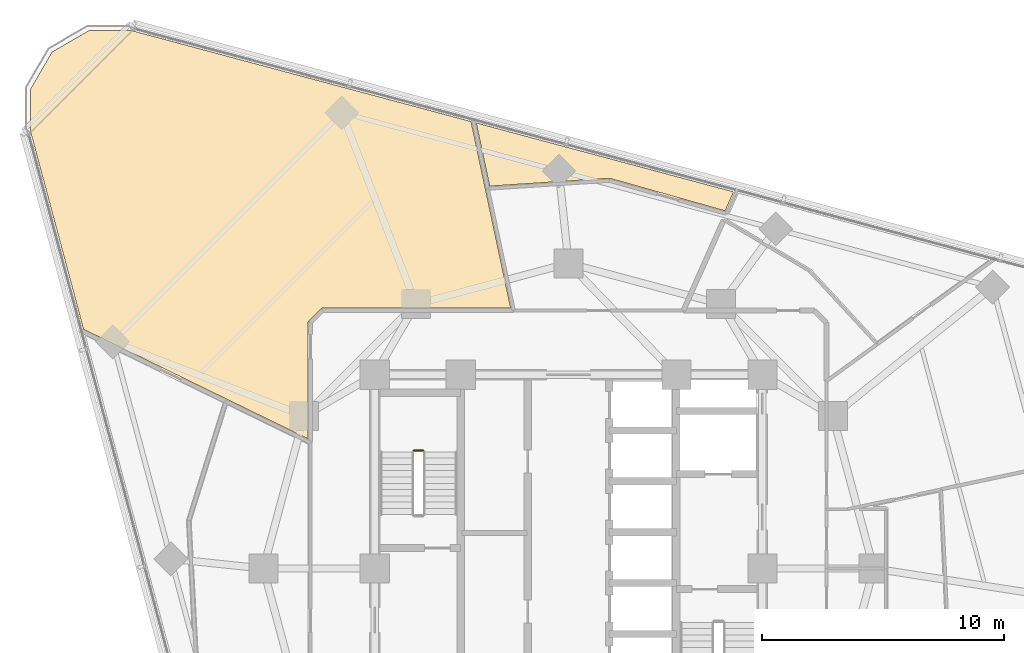
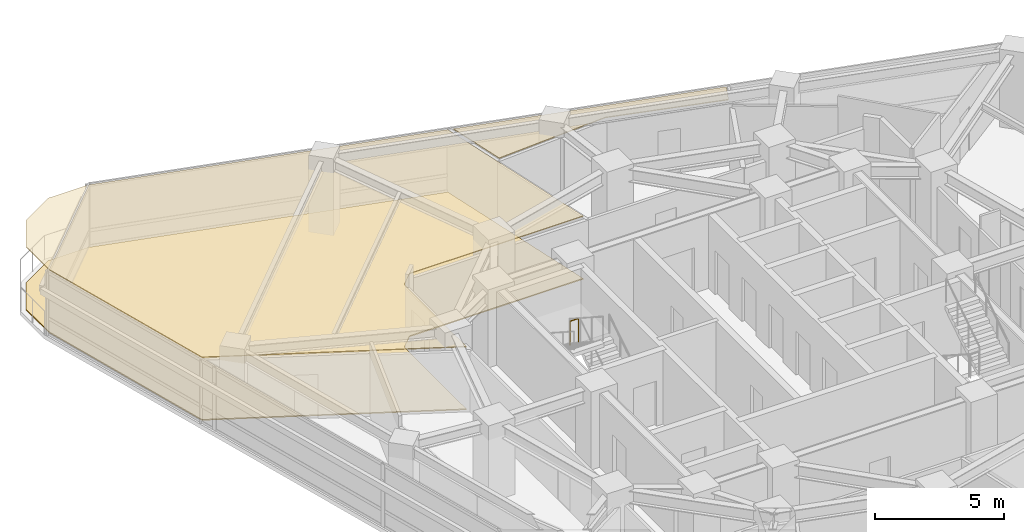
# One storey, part 13 of 14: 3 coverings, 1 railing.
"""IFC4 building model written with IfcOpenShell, lengths in metres."""

import ifcopenshell
import ifcopenshell.guid

model = None  # the IFC model being written
_history = None  # IfcOwnerHistory: only IFC2X3 demands one
_inside = {}  # id of a spatial element -> (the spatial element, [elements in it])
_under = {}  # id of a project, library or spatial element -> (it, [spatial elements below it])
_declared = {}  # id of a project -> (the project, [libraries it declares])
_typed = {}  # id of a type object -> (the type object, [elements of that type])
_made_of = {}  # id of a material, layer set ... -> (it, [elements and type objects made of it])


def new_model(schema):
    """Start an empty IFC model of exactly this schema.

    Asked for "IFC4X3", IfcOpenShell would pick the latest addendum, in which some entities
    have other attributes; the version numbers below select the first issue.
    IFC2X3 requires an IfcOwnerHistory on every rooted entity: one is made here for all.
    """
    global model, _history
    if schema == "IFC4X3":
        model = ifcopenshell.file(schema_version=(4, 3, 0, 0))
    else:
        model = ifcopenshell.file(schema=schema)
    _inside.clear()
    _under.clear()
    _declared.clear()
    _typed.clear()
    _made_of.clear()
    _history = None
    if model.schema == "IFC2X3":
        org = make("IfcOrganization", Name="unknown")
        user = make(
            "IfcPersonAndOrganization",
            ThePerson=make("IfcPerson", FamilyName="unknown"),
            TheOrganization=org,
        )
        app = make(
            "IfcApplication",
            ApplicationDeveloper=org,
            Version="unknown",
            ApplicationFullName="unknown",
            ApplicationIdentifier="unknown",
        )
        _history = make(
            "IfcOwnerHistory",
            OwningUser=user,
            OwningApplication=app,
            ChangeAction="ADDED",
            CreationDate=0,
        )
    return model


def make(cls, **values):
    """One entity of the class cls with the attributes given. An attribute that is None is left unset."""
    return model.create_entity(
        cls, **{name: value for name, value in values.items() if value is not None}
    )


def rooted(cls, **values):
    """An entity with a GlobalId (a new one), such as an element, a storey or a relation."""
    return make(cls, GlobalId=ifcopenshell.guid.new(), OwnerHistory=_history, **values)


def si_unit(unit_type, name, prefix=None):
    """IfcSIUnit, for example si_unit("LENGTHUNIT", "METRE", prefix="MILLI")."""
    return make("IfcSIUnit", UnitType=unit_type, Prefix=prefix, Name=name)


def assignment(units):
    """IfcUnitAssignment: the units of a project."""
    return None if units is None else make("IfcUnitAssignment", Units=units)


def point(xyz):
    """IfcCartesianPoint."""
    return None if xyz is None else make("IfcCartesianPoint", Coordinates=xyz)


def direction(xyz):
    """IfcDirection."""
    return None if xyz is None else make("IfcDirection", DirectionRatios=xyz)


def frame(location, z_axis=None, x_axis=None):
    """IfcAxis2Placement3D, a coordinate frame: its origin and axes. An axis left out is left unset."""
    return make(
        "IfcAxis2Placement3D",
        Location=point(location),
        Axis=direction(z_axis),
        RefDirection=direction(x_axis),
    )


def frame_2d(location, x_axis=None):
    """IfcAxis2Placement2D, a coordinate frame in the plane: its origin and x axis."""
    return make(
        "IfcAxis2Placement2D", Location=point(location), RefDirection=direction(x_axis)
    )


def origin():
    """The frame at (0, 0, 0) with its axes left unset."""
    return frame((0.0, 0.0, 0.0))


def origin_2d():
    """The frame at (0, 0) in the plane with its x axis left unset."""
    return frame_2d((0.0, 0.0))


def place(relative_to, where):
    """IfcLocalPlacement: puts the frame where relative to a parent placement (None: the world)."""
    return make(
        "IfcLocalPlacement", PlacementRelTo=relative_to, RelativePlacement=where
    )


def context(
    kind, dimensions, precision=None, world=None, true_north=None, identifier=None
):
    """IfcGeometricRepresentationContext, for example the 3D "Model" context."""
    return make(
        "IfcGeometricRepresentationContext",
        ContextIdentifier=identifier,
        ContextType=kind,
        CoordinateSpaceDimension=dimensions,
        Precision=precision,
        WorldCoordinateSystem=world,
        TrueNorth=true_north,
    )


def subcontext(parent, identifier, kind, view, scale=None):
    """IfcGeometricRepresentationSubContext, for example "Body" below "Model"."""
    return make(
        "IfcGeometricRepresentationSubContext",
        ContextIdentifier=identifier,
        ContextType=kind,
        ParentContext=parent,
        TargetScale=scale,
        TargetView=view,
    )


def project(units=None, contexts=None):
    """IfcProject with its units and contexts."""
    return rooted(
        "IfcProject",
        Name="project",
        RepresentationContexts=contexts,
        UnitsInContext=assignment(units),
    )


def spatial(cls, under=None, at=None, **own):
    """A site, building, storey or space (cls), placed at a placement, below another one or the project."""
    s = rooted(cls, ObjectPlacement=at, **own)
    if under is not None:
        _under.setdefault(under.id(), (under, []))[1].append(s)
    return s


def polyline(points):
    """IfcPolyline through the points."""
    return make("IfcPolyline", Points=[point(p) for p in points])


def profile(cls, at=None, kind="AREA", **sizes):
    """A parametric profile (cls). Its sizes go by their IFC names, for example OverallWidth=200.0."""
    return make(cls, ProfileType=kind, Position=at, **sizes)


def circle(**sizes):
    """IfcCircleProfileDef."""
    return profile("IfcCircleProfileDef", **sizes)


def outline(outer, holes=None, kind="AREA"):
    """IfcArbitraryClosedProfileDef: a profile drawn as a closed curve; with holes, ...WithVoids."""
    if holes is None:
        return make("IfcArbitraryClosedProfileDef", ProfileType=kind, OuterCurve=outer)
    return make(
        "IfcArbitraryProfileDefWithVoids",
        ProfileType=kind,
        OuterCurve=outer,
        InnerCurves=holes,
    )


def extrude(swept, where, along, depth):
    """IfcExtrudedAreaSolid: the profile swept, set in the frame where, extruded along a direction by depth."""
    return make(
        "IfcExtrudedAreaSolid",
        SweptArea=swept,
        Position=where,
        ExtrudedDirection=direction(along),
        Depth=depth,
    )


def shape(context_of_items, identifier, shape_type, items):
    """IfcShapeRepresentation: the items that make up one representation, for example the "Body"."""
    return make(
        "IfcShapeRepresentation",
        ContextOfItems=context_of_items,
        RepresentationIdentifier=identifier,
        RepresentationType=shape_type,
        Items=items,
    )


def material(Name=None, Category=None):
    """IfcMaterial."""
    return make("IfcMaterial", Name=Name, Category=Category)


def layer(
    of_material, thickness, ventilated=None, Name=None, Category=None, Priority=None
):
    """IfcMaterialLayer: one layer of a wall or slab, of a material (None: an air gap)."""
    return make(
        "IfcMaterialLayer",
        Material=of_material,
        LayerThickness=thickness,
        IsVentilated=ventilated,
        Name=Name,
        Category=Category,
        Priority=Priority,
    )


def layer_set(layers, Name=None):
    """IfcMaterialLayerSet."""
    return make("IfcMaterialLayerSet", MaterialLayers=layers, LayerSetName=Name)


def made_of(thing, what):
    """Note that an element or type object is made of a material, layer set ...; save() writes the relation."""
    if what is not None:
        _made_of.setdefault(what.id(), (what, []))[1].append(thing)
    return thing


def type_object(cls, material=None, **own):
    """A type object (cls), such as IfcWallType, which elements share."""
    return made_of(rooted(cls, **own), material)


def element(
    cls,
    number,
    at=None,
    inside=None,
    cuts=None,
    type_object=None,
    material=None,
    context=None,
    identifier="Body",
    shape_type=None,
    held_by="IfcProductDefinitionShape",
    body=None,
    shapes=None,
    **own,
):
    """One element of the class cls, such as IfcWall. Its Tag is "e" and its number.

    at: its placement. inside: the storey or other place that contains it. cuts: it is an
    opening in that element (IfcRelVoidsElement). A single representation is given by context,
    identifier, shape_type and body (its items); several are given by shapes. held_by: the class
    of the entity that holds the representations. save() writes the other relations.
    """
    e = rooted(cls, Tag="e%d" % number, ObjectPlacement=at, **own)
    if body is not None:
        shapes = [shape(context, identifier, shape_type, body)]
    if shapes is not None:
        e.Representation = make(held_by, Representations=shapes)
    if inside is not None:
        _inside.setdefault(inside.id(), (inside, []))[1].append(e)
    if cuts is not None:
        rooted(
            "IfcRelVoidsElement", RelatingBuildingElement=cuts, RelatedOpeningElement=e
        )
    if type_object is not None:
        _typed.setdefault(type_object.id(), (type_object, []))[1].append(e)
    return made_of(e, material)


def aggregate(whole, parts):
    """IfcRelAggregates: a whole, such as a stair, and the parts it consists of."""
    return rooted("IfcRelAggregates", RelatingObject=whole, RelatedObjects=parts)


def save(model, path):
    """Write the relations noted so far, then the file.

    IfcRelAggregates (storeys below a building ...), IfcRelContainedInSpatialStructure (elements
    in a storey), IfcRelDefinesByType, IfcRelAssociatesMaterial and IfcRelDeclares: one each for
    every whole, place, type object, material and project.
    """
    for whole, parts in _under.values():
        aggregate(whole, parts)
    for where, things in _inside.values():
        rooted(
            "IfcRelContainedInSpatialStructure",
            RelatedElements=things,
            RelatingStructure=where,
        )
    for kind, things in _typed.values():
        rooted("IfcRelDefinesByType", RelatedObjects=things, RelatingType=kind)
    for what, things in _made_of.values():
        rooted("IfcRelAssociatesMaterial", RelatedObjects=things, RelatingMaterial=what)
    for by, libraries in _declared.values():
        rooted("IfcRelDeclares", RelatingContext=by, RelatedDefinitions=libraries)
    model.write(path)


model = new_model("IFC4")

# Units and contexts
model_context = context("Model", 3, precision=1e-05, world=origin(), true_north=direction((0.0, 1.0)))
body_context = subcontext(model_context, "Body", "Model", "MODEL_VIEW")
ifc_project = project(units=[si_unit("LENGTHUNIT", "METRE"), si_unit("AREAUNIT", "SQUARE_METRE"), si_unit("VOLUMEUNIT", "CUBIC_METRE"), si_unit("PLANEANGLEUNIT", "RADIAN"), si_unit("MASSUNIT", "GRAM", prefix="KILO")], contexts=[model_context])

# Site, building, storey
site_placement = place(None, origin())
site = spatial("IfcSite", under=ifc_project, at=site_placement, CompositionType="ELEMENT")
building_placement = place(site_placement, origin())
building = spatial("IfcBuilding", under=site, at=building_placement, Name="Terralouvre Media Tower", CompositionType="ELEMENT")
storey_placement = place(building_placement, frame((0.0, 0.0, 184.199951171875)))
storey = spatial("IfcBuildingStorey", under=building, at=storey_placement, Name="L47", CompositionType="ELEMENT", Elevation=184.199951171875)

# Coverings
ifc_material_1 = material(Name="Resilient elastomer acoustic broadcast studio flooring")
ifc_layer_1 = layer(ifc_material_1, 0.050048828125, Name="Broadcast Studio Acoustic Floating Floor FL-AC1")
ifc_layer_set_1 = layer_set([ifc_layer_1], Name="Resilient elastomer acoustic broadcast studio flooring")
covering_type_1 = type_object("IfcCoveringType", Name="Broadcast Studio Acoustic Floating Floor FL-AC1", PredefinedType="FLOORING", material=ifc_layer_set_1)
covering_1_placement = place(storey_placement, frame((0.0, 0.0, 0.0), z_axis=(0.0, 0.0, 1.0), x_axis=(0.707106781187, 0.707106781187, 0.0)))
element("IfcCovering", 1, at=covering_1_placement, inside=storey, type_object=covering_type_1, Name="L47 Audio Mastering Control Room 13 Acoustic Floating Floor", PredefinedType="FLOORING", context=body_context, shape_type="SweptSolid", body=[
    extrude(outline(polyline([(-5.027099609375, 14.906494140625), (-3.8154296875, 11.38720703125), (-0.42431640625, 14.778564453125), (-0.4169921875, 14.78515625), (-0.4091796875, 14.791015625), (-0.400634765625, 14.7958984375), (-0.391845703125, 14.80029296875), (-0.382568359375, 14.803466796875), (-0.373046875, 14.805908203125), (-0.36328125, 14.807373046875), (-0.353515625, 14.807861328125), (0.353515625, 14.807861328125), (0.36328125, 14.807373046875), (0.373046875, 14.805908203125), (0.382568359375, 14.803466796875), (0.391845703125, 14.80029296875), (0.400634765625, 14.7958984375), (0.4091796875, 14.791015625), (0.4169921875, 14.78515625), (0.42431640625, 14.778564453125), (5.9130859375, 9.28955078125), (8.648193359375, 13.50146484375), (10.202392578125, 15.89453125), (2.958984375, 28.440673828125), (1.6962890625, 29.70361328125), (0.0, 30.15771484375), (-1.6962890625, 29.70361328125), (-2.958984375, 28.440673828125), (-7.173828125, 21.140380859375), (-5.027099609375, 14.906494140625)])), origin(), (0.0, 0.0, 1.0), 0.050048828125),
])
ifc_material_2 = material(Name="Perforated aluminium acoustic ceiling baffle", Category="aluminium")
ifc_layer_2 = layer(ifc_material_2, 0.0400390625, Name="Perforated Acoustic Metal Tile Ceiling CL-AC1")
ifc_layer_set_2 = layer_set([ifc_layer_2], Name="Perforated aluminium acoustic ceiling baffle")
covering_type_2 = type_object("IfcCoveringType", Name="Perforated Acoustic Metal Tile Ceiling CL-AC1", PredefinedType="CEILING", material=ifc_layer_set_2)
covering_2_placement = place(storey_placement, frame((0.0, 0.0, 2.97998046875), z_axis=(0.0, 0.0, 1.0), x_axis=(0.707106781187, 0.707106781187, 0.0)))
element("IfcCovering", 2, at=covering_2_placement, inside=storey, type_object=covering_type_2, Name="L47 Guest Arrival Reception 12 Acoustic Ceiling", PredefinedType="CEILING", context=body_context, shape_type="SweptSolid", body=[
    extrude(outline(polyline([(12.578125, 10.207275390625), (12.586181640625, 10.199462890625), (12.593505859375, 10.1904296875), (12.599609375, 10.180908203125), (15.012939453125, 5.870361328125), (15.8134765625, 6.177001953125), (10.314453125, 15.7001953125), (8.863037109375, 13.465087890625), (12.578125, 10.207275390625)])), origin(), (0.0, 0.0, 1.0), 0.0400390625),
])
covering_3_placement = place(storey_placement, frame((0.0, 0.0, 2.97998046875), z_axis=(0.0, 0.0, 1.0), x_axis=(0.707106781187, 0.707106781187, 0.0)))
element("IfcCovering", 3, at=covering_3_placement, inside=storey, type_object=covering_type_2, Name="L47 Audio Mastering Control Room 13 Acoustic Ceiling", PredefinedType="CEILING", context=body_context, shape_type="SweptSolid", body=[
    extrude(outline(polyline([(-5.027099609375, 14.906494140625), (-3.8154296875, 11.38720703125), (-0.42431640625, 14.778564453125), (-0.4169921875, 14.78515625), (-0.4091796875, 14.791015625), (-0.400634765625, 14.7958984375), (-0.391845703125, 14.80029296875), (-0.382568359375, 14.803466796875), (-0.373046875, 14.805908203125), (-0.36328125, 14.807373046875), (-0.353515625, 14.807861328125), (0.353515625, 14.807861328125), (0.36328125, 14.807373046875), (0.373046875, 14.805908203125), (0.382568359375, 14.803466796875), (0.391845703125, 14.80029296875), (0.400634765625, 14.7958984375), (0.4091796875, 14.791015625), (0.4169921875, 14.78515625), (0.42431640625, 14.778564453125), (5.9130859375, 9.28955078125), (8.648193359375, 13.50146484375), (10.202392578125, 15.89453125), (2.958984375, 28.440673828125), (1.6962890625, 29.70361328125), (0.0, 30.15771484375), (-1.6962890625, 29.70361328125), (-2.958984375, 28.440673828125), (-7.173828125, 21.140380859375), (-5.027099609375, 14.906494140625)])), origin(), (0.0, 0.0, 1.0), 0.0400390625),
])

# Railing
ifc_material_3 = material(Name="Stainless steel 316 handrail and balustrade", Category="steel")
ifc_layer_3 = layer(ifc_material_3, 0.050048828125, Name="Stairwell Safety Guardrail GR-INT1")
ifc_layer_set_3 = layer_set([ifc_layer_3], Name="Stainless steel 316 handrail and balustrade")
railing_type = type_object("IfcRailingType", Name="Stairwell Safety Guardrail GR-INT1", PredefinedType="GUARDRAIL", material=ifc_layer_set_3)
railing_placement = place(storey_placement, frame((-6.0, 4.8701171875, 1.85009765625)))
element("IfcRailing", 4, at=railing_placement, inside=storey, type_object=railing_type, Name="L47 ST-01 stair guard 2", PredefinedType="GUARDRAIL", context=body_context, shape_type="SweptSolid", body=[
    extrude(circle(Radius=0.02392578125, at=origin_2d()), frame((0.0, 0.0, 1.1259765625), z_axis=(-1.0, 0.0, 0.0), x_axis=(0.0, -1.0, 0.0)), (0.0, 0.0, 1.0), 0.3798828125),
    extrude(circle(Radius=0.02099609375, at=origin_2d()), origin(), (0.0, 0.0, 1.0), 1.101806640625),
    extrude(circle(Radius=0.02099609375, at=origin_2d()), frame((-0.3798828125, 0.0, 0.0)), (0.0, 0.0, 1.0), 1.101806640625),
])

save(model, "model.ifc")
